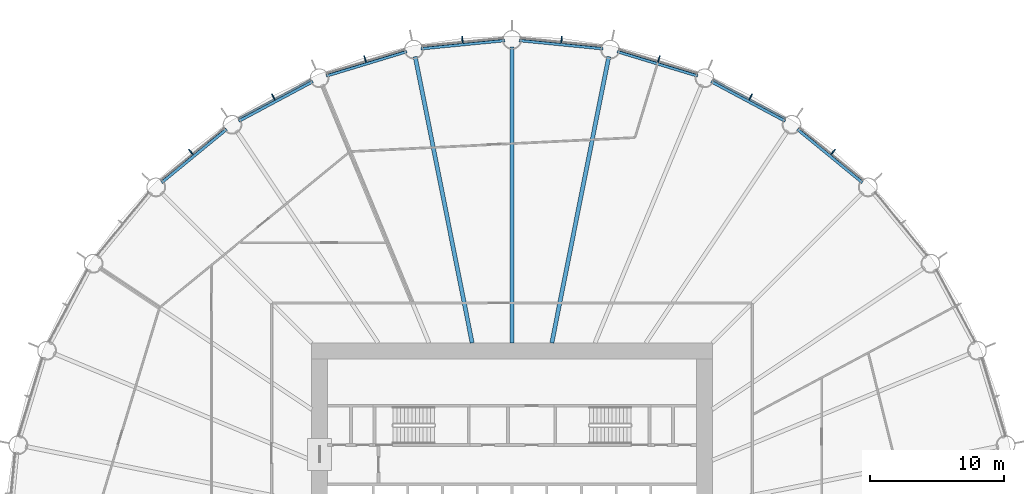
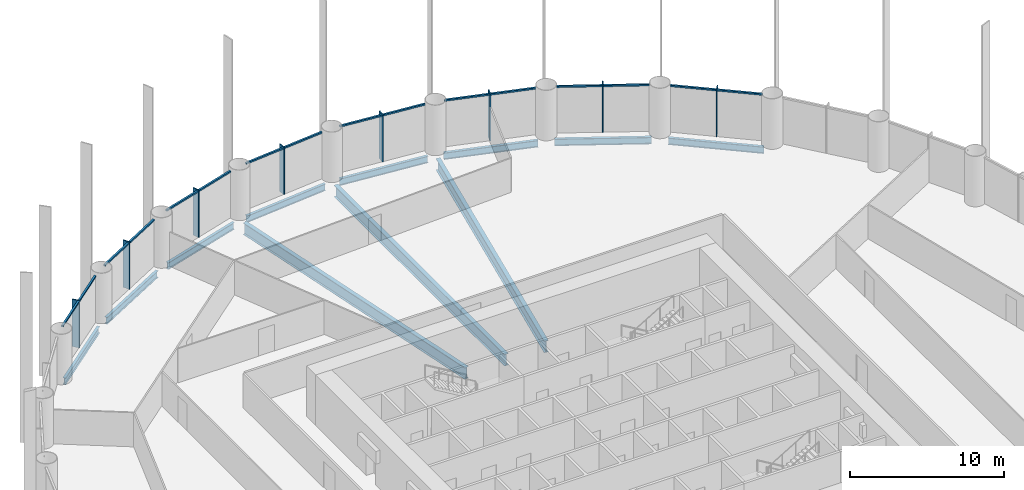
# One storey, part 6 of 14: 24 members, 11 beams, 8 elements without a shape of their own.
"""IFC4 building model written with IfcOpenShell, lengths in metres."""

from ifc_helpers import new_model, si_unit, direction, frame, origin, origin_2d, place, context, subcontext, project, spatial, rectangle, i_section, extrude, material, material_profile, profile_set, type_object, element, aggregate, save


model = new_model("IFC4")

# Units and contexts
model_context = context("Model", 3, precision=1e-05, world=origin(), true_north=direction((0.0, 1.0)))
body_context = subcontext(model_context, "Body", "Model", "MODEL_VIEW")
ifc_project = project(units=[si_unit("LENGTHUNIT", "METRE"), si_unit("AREAUNIT", "SQUARE_METRE"), si_unit("VOLUMEUNIT", "CUBIC_METRE"), si_unit("PLANEANGLEUNIT", "RADIAN"), si_unit("MASSUNIT", "GRAM", prefix="KILO")], contexts=[model_context])

# Site, building, storey
site_placement = place(None, origin())
site = spatial("IfcSite", under=ifc_project, at=site_placement, CompositionType="ELEMENT")
building_placement = place(site_placement, origin())
building = spatial("IfcBuilding", under=site, at=building_placement, Name="Corvane Civic Tower", CompositionType="ELEMENT")
storey_placement = place(building_placement, frame((0.0, 0.0, 77.0)))
storey = spatial("IfcBuildingStorey", under=building, at=storey_placement, Name="L17", CompositionType="ELEMENT", Elevation=77.0)

# Beams
ifc_material_1 = material(Name="Steel ASTM A992 Gr 50", Category="steel")
ifc_material_profile_1 = material_profile(ifc_material_1, i_section(OverallWidth=0.209228515625, OverallDepth=0.533447265625, WebThickness=0.01025390625, FlangeThickness=0.015625, at=origin_2d()), Name="W21X62")
ifc_profile_set_1 = profile_set([ifc_material_profile_1], Name="Steel ASTM A992 Gr 50")
beam_type_1 = type_object("IfcBeamType", Name="EDGE BEAM W21X62", PredefinedType="BEAM", material=ifc_profile_set_1)
beam_1_placement = place(storey_placement, frame((0.54736328125, 37.64599609375, -0.566650390625), z_axis=(0.995186682089, -0.097997284622, 0.0), x_axis=(0.097997284622, 0.995186682089, 0.0)))
element("IfcBeam", 1, at=beam_1_placement, inside=storey, type_object=beam_type_1, Name="BM-L17-E01", PredefinedType="BEAM", context=body_context, shape_type="SweptSolid", body=[
    extrude(i_section(OverallWidth=0.209228515625, OverallDepth=0.533447265625, WebThickness=0.01025390625, FlangeThickness=0.015625, at=origin_2d()), origin(), (0.0, 0.0, 1.0), 6.29052734375),
])
for number, where, z_axis, x_axis, name in (
    (2, (7.88134765625, 36.81591796875, -0.566650390625), (0.956943740748, -0.290273452184, 0.0), (0.290273452184, 0.956943740748, 0.0), "BM-L17-E02"),
    (3, (14.912353515625, 34.571044921875, -0.566650390625), (0.881916367906, -0.471405897311, 0.0), (0.471405897311, 0.881916367906, 0.0), "BM-L17-E03"),
):
    element("IfcBeam", number, at=place(storey_placement, frame(where, z_axis=z_axis, x_axis=x_axis)), inside=storey, type_object=beam_type_1, Name=name, PredefinedType="BEAM", context=body_context, shape_type="SweptSolid", body=[
        extrude(i_section(OverallWidth=0.209228515625, OverallDepth=0.533447265625, WebThickness=0.01025390625, FlangeThickness=0.015625, at=origin_2d()), origin(), (0.0, 0.0, 1.0), 6.290283203125),
    ])
for number, where, z_axis, x_axis, name in (
    (4, (21.3701171875, 30.99755859375, -0.566650390625), (0.773015785286, -0.634386787141, 0.0), (0.634386787141, 0.773015785286, 0.0), "BM-L17-E04"),
    (5, (-26.23291015625, 27.0068359375, -0.566650390625), (0.773015785286, 0.634386787141, 0.0), (-0.634386787141, 0.773015785286, 0.0), "BM-L17-E29"),
):
    element("IfcBeam", number, at=place(storey_placement, frame(where, z_axis=z_axis, x_axis=x_axis)), inside=storey, type_object=beam_type_1, Name=name, PredefinedType="BEAM", context=body_context, shape_type="SweptSolid", body=[
        extrude(i_section(OverallWidth=0.209228515625, OverallDepth=0.533447265625, WebThickness=0.01025390625, FlangeThickness=0.015625, at=origin_2d()), origin(), (0.0, 0.0, 1.0), 6.290771484375),
    ])
for number, where, z_axis, x_axis, name in (
    (6, (-20.4599609375, 31.605712890625, -0.566650390625), (0.881916367906, 0.471405897311, 0.0), (-0.471405897311, 0.881916367906, 0.0), "BM-L17-E30"),
    (7, (-13.90087890625, 34.989990234375, -0.566650390625), (0.956943740748, 0.290273452184, 0.0), (-0.290273452184, 0.956943740748, 0.0), "BM-L17-E31"),
):
    element("IfcBeam", number, at=place(storey_placement, frame(where, z_axis=z_axis, x_axis=x_axis)), inside=storey, type_object=beam_type_1, Name=name, PredefinedType="BEAM", context=body_context, shape_type="SweptSolid", body=[
        extrude(i_section(OverallWidth=0.209228515625, OverallDepth=0.533447265625, WebThickness=0.01025390625, FlangeThickness=0.015625, at=origin_2d()), origin(), (0.0, 0.0, 1.0), 6.290283203125),
    ])
beam_2_placement = place(storey_placement, frame((-6.8076171875, 37.029541015625, -0.566650390625), z_axis=(0.995186682089, 0.097997284622, 0.0), x_axis=(-0.097997284622, 0.995186682089, 0.0)))
element("IfcBeam", 8, at=beam_2_placement, inside=storey, type_object=beam_type_1, Name="BM-L17-E32", PredefinedType="BEAM", context=body_context, shape_type="SweptSolid", body=[
    extrude(i_section(OverallWidth=0.209228515625, OverallDepth=0.533447265625, WebThickness=0.01025390625, FlangeThickness=0.015625, at=origin_2d()), origin(), (0.0, 0.0, 1.0), 6.29052734375),
])
ifc_material_2 = material(Name="Steel ASTM A992 Gr 50", Category="steel")
ifc_material_profile_2 = material_profile(ifc_material_2, i_section(OverallWidth=0.307373046875, OverallDepth=0.927001953125, WebThickness=0.01953125, FlangeThickness=0.031982421875, at=origin_2d()), Name="W36X194")
ifc_profile_set_2 = profile_set([ifc_material_profile_2], Name="Steel ASTM A992 Gr 50")
beam_type_2 = type_object("IfcBeamType", Name="FLOOR GIRDER W36X194", PredefinedType="BEAM", material=ifc_profile_set_2)
beam_3_placement = place(storey_placement, frame((0.0, 15.0, -0.763671875), z_axis=(0.0, 1.0, 0.0), x_axis=(-1.0, 0.0, 0.0)))
element("IfcBeam", 9, at=beam_3_placement, inside=storey, type_object=beam_type_2, Name="BM-L17-G01", PredefinedType="BEAM", context=body_context, shape_type="SweptSolid", body=[
    extrude(i_section(OverallWidth=0.307373046875, OverallDepth=0.927001953125, WebThickness=0.01953125, FlangeThickness=0.031982421875, at=origin_2d()), origin(), (0.0, 0.0, 1.0), 22.14990234375),
])
for number, where, z_axis, x_axis, name in (
    (10, (2.983642578125, 15.0, -0.763671875), (0.195089219638, 0.980785499679, 0.0), (-0.980785499679, 0.195089219638, 0.0), "BM-L17-G02"),
    (11, (-2.983642578125, 15.0, -0.763671875), (-0.195089219638, 0.980785499679, 0.0), (-0.980785499679, -0.195089219638, 0.0), "BM-L17-G32"),
):
    element("IfcBeam", number, at=place(storey_placement, frame(where, z_axis=z_axis, x_axis=x_axis)), inside=storey, type_object=beam_type_2, Name=name, PredefinedType="BEAM", context=body_context, shape_type="SweptSolid", body=[
        extrude(i_section(OverallWidth=0.307373046875, OverallDepth=0.927001953125, WebThickness=0.01953125, FlangeThickness=0.031982421875, at=origin_2d()), origin(), (0.0, 0.0, 1.0), 21.856201171875),
    ])

# Curtain wall, members
ifc_material_3 = material(Name="Anodised aluminium bronze", Category="aluminium")
curtain_wall_type = type_object("IfcCurtainWallType", Name="TOWER CW-T1 STICK CURTAIN WALL", PredefinedType="NOTDEFINED", material=ifc_material_3)
curtain_wall_1_placement = place(storey_placement, origin())
curtain_wall_1 = element("IfcCurtainWall", 12, at=curtain_wall_1_placement, inside=storey, type_object=curtain_wall_type, Name="Curtain wall CW-T1 L17 bay 01", PredefinedType="NOTDEFINED")
ifc_material_4 = material(Name="Anodised aluminium bronze", Category="aluminium")
ifc_material_profile_3 = material_profile(ifc_material_4, rectangle(XDim=0.139892578125, YDim=0.1201171875, at=origin_2d()), Name="TOWER CW-T1 TRANSOM 140x120")
ifc_profile_set_3 = profile_set([ifc_material_profile_3], Name="Anodised aluminium bronze")
member_type_1 = type_object("IfcMemberType", Name="TOWER CW-T1 TRANSOM 140x120", PredefinedType="USERDEFINED", material=ifc_profile_set_3)
member_1_placement = place(storey_placement, frame((0.6611328125, 37.814697265625, 3.68994140625), z_axis=(0.995191836722, -0.097944923917, 0.0), x_axis=(0.097944923917, 0.995191836722, 0.0)))
member_1 = element("IfcMember", 13, at=member_1_placement, type_object=member_type_1, Name="Transom CW-T1 L17 01.1", ObjectType="TRANSOM", PredefinedType="USERDEFINED", context=body_context, shape_type="SweptSolid", body=[
    extrude(rectangle(XDim=0.139892578125, YDim=0.1201171875, at=origin_2d()), origin(), (0.0, 0.0, 1.0), 3.008544921875),
])
member_2_placement = place(storey_placement, frame((3.73486328125, 37.511962890625, 3.68994140625), z_axis=(0.995191836722, -0.097944923917, 0.0), x_axis=(0.097944923917, 0.995191836722, 0.0)))
member_2 = element("IfcMember", 14, at=member_2_placement, type_object=member_type_1, Name="Transom CW-T1 L17 01.2", ObjectType="TRANSOM", PredefinedType="USERDEFINED", context=body_context, shape_type="SweptSolid", body=[
    extrude(rectangle(XDim=0.139892578125, YDim=0.1201171875, at=origin_2d()), origin(), (0.0, 0.0, 1.0), 3.008544921875),
])

curtain_wall_2_placement = place(storey_placement, origin())
curtain_wall_2 = element("IfcCurtainWall", 15, at=curtain_wall_2_placement, inside=storey, type_object=curtain_wall_type, Name="Curtain wall CW-T1 L17 bay 02", PredefinedType="NOTDEFINED")
member_3_placement = place(storey_placement, frame((8.02587890625, 36.959228515625, 3.68994140625), z_axis=(0.956941780555, -0.290279914268, 0.0), x_axis=(0.290279914268, 0.956941780555, 0.0)))
member_3 = element("IfcMember", 16, at=member_3_placement, type_object=member_type_1, Name="Transom CW-T1 L17 02.1", ObjectType="TRANSOM", PredefinedType="USERDEFINED", context=body_context, shape_type="SweptSolid", body=[
    extrude(rectangle(XDim=0.139892578125, YDim=0.1201171875, at=origin_2d()), origin(), (0.0, 0.0, 1.0), 3.008544921875),
])
member_4_placement = place(storey_placement, frame((10.9814453125, 36.062744140625, 3.68994140625), z_axis=(0.956941780555, -0.290279914268, 0.0), x_axis=(0.290279914268, 0.956941780555, 0.0)))
member_4 = element("IfcMember", 17, at=member_4_placement, type_object=member_type_1, Name="Transom CW-T1 L17 02.2", ObjectType="TRANSOM", PredefinedType="USERDEFINED", context=body_context, shape_type="SweptSolid", body=[
    extrude(rectangle(XDim=0.139892578125, YDim=0.1201171875, at=origin_2d()), origin(), (0.0, 0.0, 1.0), 3.008544921875),
])

curtain_wall_3_placement = place(storey_placement, origin())
curtain_wall_3 = element("IfcCurtainWall", 18, at=curtain_wall_3_placement, inside=storey, type_object=curtain_wall_type, Name="Curtain wall CW-T1 L17 bay 03", PredefinedType="NOTDEFINED")
member_5_placement = place(storey_placement, frame((15.08203125, 34.683349609375, 3.68994140625), z_axis=(0.881923525532, -0.471392506424, 0.0), x_axis=(0.471392506424, 0.881923525532, 0.0)))
member_5 = element("IfcMember", 19, at=member_5_placement, type_object=member_type_1, Name="Transom CW-T1 L17 03.1", ObjectType="TRANSOM", PredefinedType="USERDEFINED", context=body_context, shape_type="SweptSolid", body=[
    extrude(rectangle(XDim=0.139892578125, YDim=0.1201171875, at=origin_2d()), origin(), (0.0, 0.0, 1.0), 3.008544921875),
])
member_6_placement = place(storey_placement, frame((17.805908203125, 33.2275390625, 3.68994140625), z_axis=(0.881923525532, -0.471392506424, 0.0), x_axis=(0.471392506424, 0.881923525532, 0.0)))
member_6 = element("IfcMember", 20, at=member_6_placement, type_object=member_type_1, Name="Transom CW-T1 L17 03.2", ObjectType="TRANSOM", PredefinedType="USERDEFINED", context=body_context, shape_type="SweptSolid", body=[
    extrude(rectangle(XDim=0.139892578125, YDim=0.1201171875, at=origin_2d()), origin(), (0.0, 0.0, 1.0), 3.008544921875),
])

curtain_wall_4_placement = place(storey_placement, origin())
curtain_wall_4 = element("IfcCurtainWall", 21, at=curtain_wall_4_placement, inside=storey, type_object=curtain_wall_type, Name="Curtain wall CW-T1 L17 bay 04", PredefinedType="NOTDEFINED")
member_7_placement = place(storey_placement, frame((21.55859375, 31.074462890625, 3.68994140625), z_axis=(0.773041738279, -0.634355161466, 0.0), x_axis=(0.634355161466, 0.773041738279, 0.0)))
member_7 = element("IfcMember", 22, at=member_7_placement, type_object=member_type_1, Name="Transom CW-T1 L17 04.1", ObjectType="TRANSOM", PredefinedType="USERDEFINED", context=body_context, shape_type="SweptSolid", body=[
    extrude(rectangle(XDim=0.139892578125, YDim=0.1201171875, at=origin_2d()), origin(), (0.0, 0.0, 1.0), 3.008544921875),
])
member_8_placement = place(storey_placement, frame((23.946044921875, 29.115234375, 3.68994140625), z_axis=(0.773001943873, -0.634403652865, 0.0), x_axis=(0.634403652865, 0.773001943873, 0.0)))
member_8 = element("IfcMember", 23, at=member_8_placement, type_object=member_type_1, Name="Transom CW-T1 L17 04.2", ObjectType="TRANSOM", PredefinedType="USERDEFINED", context=body_context, shape_type="SweptSolid", body=[
    extrude(rectangle(XDim=0.139892578125, YDim=0.1201171875, at=origin_2d()), origin(), (0.0, 0.0, 1.0), 3.008544921875),
])

curtain_wall_5_placement = place(storey_placement, origin())
curtain_wall_5 = element("IfcCurtainWall", 24, at=curtain_wall_5_placement, inside=storey, type_object=curtain_wall_type, Name="Curtain wall CW-T1 L17 bay 29", PredefinedType="NOTDEFINED")
member_9_placement = place(storey_placement, frame((-26.271728515625, 27.20654296875, 3.68994140625), z_axis=(0.773001943873, 0.634403652865, 0.0), x_axis=(-0.634403652865, 0.773001943873, 0.0)))
member_9 = element("IfcMember", 25, at=member_9_placement, type_object=member_type_1, Name="Transom CW-T1 L17 29.1", ObjectType="TRANSOM", PredefinedType="USERDEFINED", context=body_context, shape_type="SweptSolid", body=[
    extrude(rectangle(XDim=0.139892578125, YDim=0.1201171875, at=origin_2d()), origin(), (0.0, 0.0, 1.0), 3.008544921875),
])
member_10_placement = place(storey_placement, frame((-23.88427734375, 29.166015625, 3.68994140625), z_axis=(0.773041738279, 0.634355161466, 0.0), x_axis=(-0.634355161466, 0.773041738279, 0.0)))
member_10 = element("IfcMember", 26, at=member_10_placement, type_object=member_type_1, Name="Transom CW-T1 L17 29.2", ObjectType="TRANSOM", PredefinedType="USERDEFINED", context=body_context, shape_type="SweptSolid", body=[
    extrude(rectangle(XDim=0.139892578125, YDim=0.1201171875, at=origin_2d()), origin(), (0.0, 0.0, 1.0), 3.008544921875),
])

curtain_wall_6_placement = place(storey_placement, origin())
curtain_wall_6 = element("IfcCurtainWall", 27, at=curtain_wall_6_placement, inside=storey, type_object=curtain_wall_type, Name="Curtain wall CW-T1 L17 bay 30", PredefinedType="NOTDEFINED")
member_11_placement = place(storey_placement, frame((-20.459228515625, 31.809326171875, 3.68994140625), z_axis=(0.881923525532, 0.471392506424, 0.0), x_axis=(-0.471392506424, 0.881923525532, 0.0)))
member_11 = element("IfcMember", 28, at=member_11_placement, type_object=member_type_1, Name="Transom CW-T1 L17 30.1", ObjectType="TRANSOM", PredefinedType="USERDEFINED", context=body_context, shape_type="SweptSolid", body=[
    extrude(rectangle(XDim=0.139892578125, YDim=0.1201171875, at=origin_2d()), origin(), (0.0, 0.0, 1.0), 3.008544921875),
])
member_12_placement = place(storey_placement, frame((-17.7353515625, 33.26513671875, 3.68994140625), z_axis=(0.881923525532, 0.471392506424, 0.0), x_axis=(-0.471392506424, 0.881923525532, 0.0)))
member_12 = element("IfcMember", 29, at=member_12_placement, type_object=member_type_1, Name="Transom CW-T1 L17 30.2", ObjectType="TRANSOM", PredefinedType="USERDEFINED", context=body_context, shape_type="SweptSolid", body=[
    extrude(rectangle(XDim=0.139892578125, YDim=0.1201171875, at=origin_2d()), origin(), (0.0, 0.0, 1.0), 3.008544921875),
])

curtain_wall_7_placement = place(storey_placement, origin())
curtain_wall_7 = element("IfcCurtainWall", 30, at=curtain_wall_7_placement, inside=storey, type_object=curtain_wall_type, Name="Curtain wall CW-T1 L17 bay 31", PredefinedType="NOTDEFINED")
member_13_placement = place(storey_placement, frame((-13.8603515625, 35.189453125, 3.68994140625), z_axis=(0.956941780555, 0.290279914268, 0.0), x_axis=(-0.290279914268, 0.956941780555, 0.0)))
member_13 = element("IfcMember", 31, at=member_13_placement, type_object=member_type_1, Name="Transom CW-T1 L17 31.1", ObjectType="TRANSOM", PredefinedType="USERDEFINED", context=body_context, shape_type="SweptSolid", body=[
    extrude(rectangle(XDim=0.139892578125, YDim=0.1201171875, at=origin_2d()), origin(), (0.0, 0.0, 1.0), 3.008544921875),
])
member_14_placement = place(storey_placement, frame((-10.90478515625, 36.0859375, 3.68994140625), z_axis=(0.956941780555, 0.290279914268, 0.0), x_axis=(-0.290279914268, 0.956941780555, 0.0)))
member_14 = element("IfcMember", 32, at=member_14_placement, type_object=member_type_1, Name="Transom CW-T1 L17 31.2", ObjectType="TRANSOM", PredefinedType="USERDEFINED", context=body_context, shape_type="SweptSolid", body=[
    extrude(rectangle(XDim=0.139892578125, YDim=0.1201171875, at=origin_2d()), origin(), (0.0, 0.0, 1.0), 3.008544921875),
])

curtain_wall_8_placement = place(storey_placement, origin())
curtain_wall_8 = element("IfcCurtainWall", 33, at=curtain_wall_8_placement, inside=storey, type_object=curtain_wall_type, Name="Curtain wall CW-T1 L17 bay 32", PredefinedType="NOTDEFINED")
member_15_placement = place(storey_placement, frame((-6.72900390625, 37.21728515625, 3.68994140625), z_axis=(0.995191836722, 0.097944923917, 0.0), x_axis=(-0.097944923917, 0.995191836722, 0.0)))
member_15 = element("IfcMember", 34, at=member_15_placement, type_object=member_type_1, Name="Transom CW-T1 L17 32.1", ObjectType="TRANSOM", PredefinedType="USERDEFINED", context=body_context, shape_type="SweptSolid", body=[
    extrude(rectangle(XDim=0.139892578125, YDim=0.1201171875, at=origin_2d()), origin(), (0.0, 0.0, 1.0), 3.008544921875),
])
member_16_placement = place(storey_placement, frame((-3.6552734375, 37.52001953125, 3.68994140625), z_axis=(0.995191836722, 0.097944923917, 0.0), x_axis=(-0.097944923917, 0.995191836722, 0.0)))
member_16 = element("IfcMember", 35, at=member_16_placement, type_object=member_type_1, Name="Transom CW-T1 L17 32.2", ObjectType="TRANSOM", PredefinedType="USERDEFINED", context=body_context, shape_type="SweptSolid", body=[
    extrude(rectangle(XDim=0.139892578125, YDim=0.1201171875, at=origin_2d()), origin(), (0.0, 0.0, 1.0), 3.008544921875),
])

# Member
ifc_material_5 = material(Name="Anodised aluminium bronze", Category="aluminium")
ifc_material_profile_4 = material_profile(ifc_material_5, rectangle(XDim=0.080078125, YDim=0.5, at=origin_2d()), Name="TOWER FIN MULLION 80x500 BRONZE")
ifc_profile_set_4 = profile_set([ifc_material_profile_4], Name="Anodised aluminium bronze")
member_type_2 = type_object("IfcMemberType", Name="TOWER FIN MULLION 80x500 BRONZE", PredefinedType="MULLION", material=ifc_profile_set_4)
member_17_placement = place(storey_placement, frame((3.714599609375, 37.715087890625, 0.0), z_axis=(0.0, 0.0, 1.0), x_axis=(0.995185800248, -0.098006239521, 0.0)))
member_17 = element("IfcMember", 36, at=member_17_placement, type_object=member_type_2, Name="Fin mullion 01 L17", PredefinedType="MULLION", context=body_context, shape_type="SweptSolid", body=[
    extrude(rectangle(XDim=0.080078125, YDim=0.5, at=origin_2d()), origin(), (0.0, 0.0, 1.0), 3.75),
])

aggregate(curtain_wall_1, [member_17, member_1, member_2])

member_18_placement = place(storey_placement, frame((11.001220703125, 36.265625, 0.0), z_axis=(0.0, 0.0, 1.0), x_axis=(0.956942240606, -0.290278397654, 0.0)))
member_18 = element("IfcMember", 37, at=member_18_placement, type_object=member_type_2, Name="Fin mullion 02 L17", PredefinedType="MULLION", context=body_context, shape_type="SweptSolid", body=[
    extrude(rectangle(XDim=0.080078125, YDim=0.5, at=origin_2d()), origin(), (0.0, 0.0, 1.0), 3.75),
])

aggregate(curtain_wall_2, [member_18, member_3, member_4])

member_19_placement = place(storey_placement, frame((17.86474609375, 33.422607421875, 0.0), z_axis=(0.0, 0.0, 1.0), x_axis=(0.881917528864, -0.471403725359, 0.0)))
member_19 = element("IfcMember", 38, at=member_19_placement, type_object=member_type_2, Name="Fin mullion 03 L17", PredefinedType="MULLION", context=body_context, shape_type="SweptSolid", body=[
    extrude(rectangle(XDim=0.080078125, YDim=0.5, at=origin_2d()), origin(), (0.0, 0.0, 1.0), 3.75),
])

aggregate(curtain_wall_3, [member_19, member_5, member_6])

member_20_placement = place(storey_placement, frame((24.0419921875, 29.295166015625, 0.0), z_axis=(0.0, 0.0, 1.0), x_axis=(0.773007224463, -0.634397218569, 0.0)))
member_20 = element("IfcMember", 39, at=member_20_placement, type_object=member_type_2, Name="Fin mullion 04 L17", PredefinedType="MULLION", context=body_context, shape_type="SweptSolid", body=[
    extrude(rectangle(XDim=0.080078125, YDim=0.5, at=origin_2d()), origin(), (0.0, 0.0, 1.0), 3.75),
])

aggregate(curtain_wall_4, [member_20, member_7, member_8])

member_21_placement = place(storey_placement, frame((-24.0419921875, 29.295166015625, 0.0), z_axis=(0.0, 0.0, 1.0), x_axis=(0.773007224463, 0.634397218569, 0.0)))
member_21 = element("IfcMember", 40, at=member_21_placement, type_object=member_type_2, Name="Fin mullion 29 L17", PredefinedType="MULLION", context=body_context, shape_type="SweptSolid", body=[
    extrude(rectangle(XDim=0.080078125, YDim=0.5, at=origin_2d()), origin(), (0.0, 0.0, 1.0), 3.75),
])

aggregate(curtain_wall_5, [member_21, member_9, member_10])

member_22_placement = place(storey_placement, frame((-17.86474609375, 33.422607421875, 0.0), z_axis=(0.0, 0.0, 1.0), x_axis=(0.881917528864, 0.471403725359, 0.0)))
member_22 = element("IfcMember", 41, at=member_22_placement, type_object=member_type_2, Name="Fin mullion 30 L17", PredefinedType="MULLION", context=body_context, shape_type="SweptSolid", body=[
    extrude(rectangle(XDim=0.080078125, YDim=0.5, at=origin_2d()), origin(), (0.0, 0.0, 1.0), 3.75),
])

aggregate(curtain_wall_6, [member_22, member_11, member_12])

member_23_placement = place(storey_placement, frame((-11.001220703125, 36.265625, 0.0), z_axis=(0.0, 0.0, 1.0), x_axis=(0.956942240606, 0.290278397654, 0.0)))
member_23 = element("IfcMember", 42, at=member_23_placement, type_object=member_type_2, Name="Fin mullion 31 L17", PredefinedType="MULLION", context=body_context, shape_type="SweptSolid", body=[
    extrude(rectangle(XDim=0.080078125, YDim=0.5, at=origin_2d()), origin(), (0.0, 0.0, 1.0), 3.75),
])

aggregate(curtain_wall_7, [member_23, member_13, member_14])

member_24_placement = place(storey_placement, frame((-3.714599609375, 37.715087890625, 0.0), z_axis=(0.0, 0.0, 1.0), x_axis=(0.995185800248, 0.098006239521, 0.0)))
member_24 = element("IfcMember", 43, at=member_24_placement, type_object=member_type_2, Name="Fin mullion 32 L17", PredefinedType="MULLION", context=body_context, shape_type="SweptSolid", body=[
    extrude(rectangle(XDim=0.080078125, YDim=0.5, at=origin_2d()), origin(), (0.0, 0.0, 1.0), 3.75),
])

aggregate(curtain_wall_8, [member_24, member_15, member_16])

save(model, "model.ifc")
